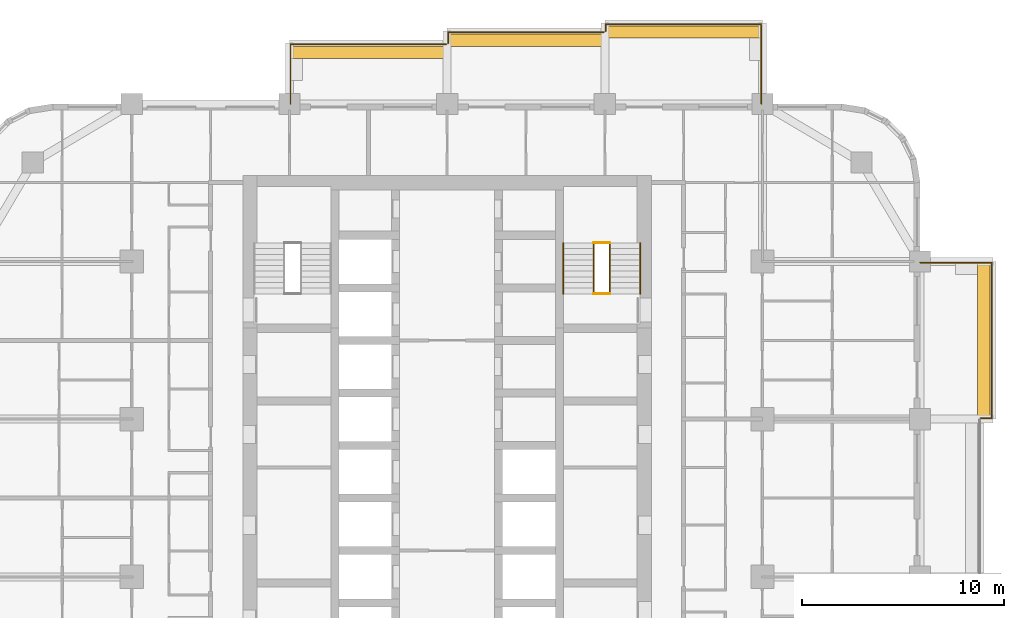
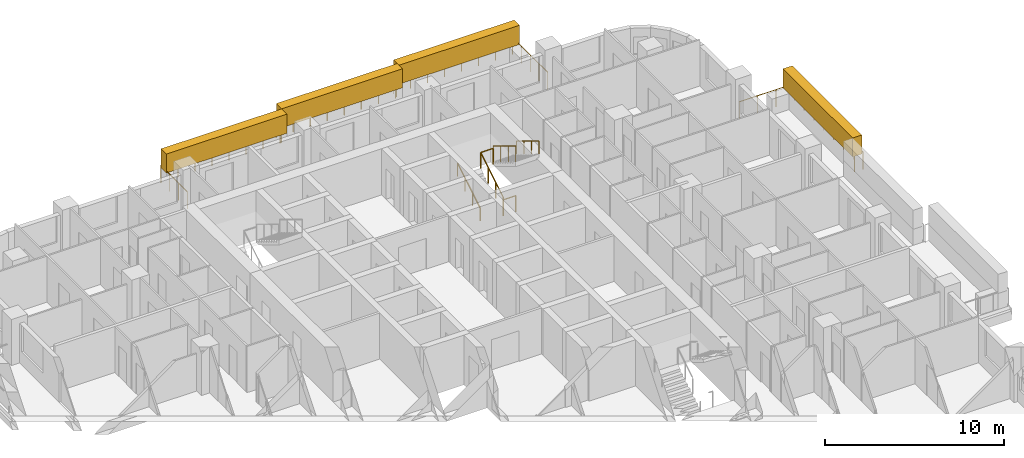
# One storey, part 17 of 17: 10 railings, 4 coverings, 1 element without a shape of its own.
"""IFC4 building model written with IfcOpenShell, lengths in metres."""

from ifc_helpers import new_model, si_unit, direction, frame, origin, origin_2d, place, context, subcontext, project, spatial, rectangle, circle, extrude, material, layer, layer_set, type_object, element, aggregate, save


model = new_model("IFC4")

# Units and contexts
model_context = context("Model", 3, precision=1e-05, world=origin(), true_north=direction((0.0, 1.0)))
body_context = subcontext(model_context, "Body", "Model", "MODEL_VIEW")
ifc_project = project(units=[si_unit("LENGTHUNIT", "METRE"), si_unit("AREAUNIT", "SQUARE_METRE"), si_unit("VOLUMEUNIT", "CUBIC_METRE"), si_unit("PLANEANGLEUNIT", "RADIAN"), si_unit("MASSUNIT", "GRAM", prefix="KILO")], contexts=[model_context])

# Site, building, storey
site_placement = place(None, origin())
site = spatial("IfcSite", under=ifc_project, at=site_placement, CompositionType="ELEMENT")
building_placement = place(site_placement, origin())
building = spatial("IfcBuilding", under=site, at=building_placement, Name="Ludao Terraces", CompositionType="ELEMENT")
storey_placement = place(building_placement, frame((0.0, 0.0, 39.89990234375)))
storey = spatial("IfcBuildingStorey", under=building, at=storey_placement, Name="L10", CompositionType="ELEMENT", Elevation=39.89990234375)

# Railings
ifc_material_1 = material(Name="Stainless steel 304", Category="steel")
railing_type_1 = type_object("IfcRailingType", Name="ENV Balcony glass guard 1200", PredefinedType="GUARDRAIL", material=ifc_material_1)
railing_1_placement = place(storey_placement, frame((111.39990234375, 72.85009765625, 0.0)))
element("IfcRailing", 1, at=railing_1_placement, inside=storey, type_object=railing_type_1, Name="Balcony guard L10 E4", PredefinedType="GUARDRAIL", context=body_context, shape_type="SweptSolid", body=[
    extrude(circle(Radius=0.02392578125, at=origin_2d()), frame((0.0, 0.0, 1.17578125), z_axis=(1.0, 0.0, 0.0), x_axis=(0.0, 1.0, 0.0)), (0.0, 0.0, 1.0), 0.550048828125),
    extrude(circle(Radius=0.02392578125, at=origin_2d()), frame((0.550048828125, 0.0, 1.17578125), z_axis=(0.0, 1.0, 0.0), x_axis=(-1.0, 0.0, 0.0)), (0.0, 0.0, 1.0), 7.699951171875),
    extrude(circle(Radius=0.02392578125, at=origin_2d()), frame((0.550048828125, 7.699951171875, 1.17578125), z_axis=(-1.0, 0.0, 0.0), x_axis=(0.0, -1.0, 0.0)), (0.0, 0.0, 1.0), 3.550048828125),
    extrude(circle(Radius=0.02099609375, at=origin_2d()), origin(), (0.0, 0.0, 1.0), 1.15185546875),
    extrude(circle(Radius=0.02099609375, at=origin_2d()), frame((0.550048828125, 0.0, 0.0)), (0.0, 0.0, 1.0), 1.15185546875),
    extrude(circle(Radius=0.02099609375, at=origin_2d()), frame((0.550048828125, 1.10009765625, 0.0)), (0.0, 0.0, 1.0), 1.15185546875),
    extrude(circle(Radius=0.02099609375, at=origin_2d()), frame((0.550048828125, 2.199951171875, 0.0)), (0.0, 0.0, 1.0), 1.15185546875),
    extrude(circle(Radius=0.02099609375, at=origin_2d()), frame((0.550048828125, 3.300048828125, 0.0)), (0.0, 0.0, 1.0), 1.15185546875),
    extrude(circle(Radius=0.02099609375, at=origin_2d()), frame((0.550048828125, 4.39990234375, 0.0)), (0.0, 0.0, 1.0), 1.15185546875),
    extrude(circle(Radius=0.02099609375, at=origin_2d()), frame((0.550048828125, 5.5, 0.0)), (0.0, 0.0, 1.0), 1.15185546875),
    extrude(circle(Radius=0.02099609375, at=origin_2d()), frame((0.550048828125, 6.599853515625, 0.0)), (0.0, 0.0, 1.0), 1.15185546875),
    extrude(circle(Radius=0.02099609375, at=origin_2d()), frame((0.550048828125, 7.699951171875, 0.0)), (0.0, 0.0, 1.0), 1.15185546875),
    extrude(circle(Radius=0.02099609375, at=origin_2d()), frame((-0.63330078125, 7.699951171875, 0.0)), (0.0, 0.0, 1.0), 1.15185546875),
    extrude(circle(Radius=0.02099609375, at=origin_2d()), frame((-1.816650390625, 7.699951171875, 0.0)), (0.0, 0.0, 1.0), 1.15185546875),
    extrude(circle(Radius=0.02099609375, at=origin_2d()), frame((-3.0, 7.699951171875, 0.0)), (0.0, 0.0, 1.0), 1.15185546875),
])
railing_2_placement = place(storey_placement, frame((77.25, 88.39990234375, 0.0)))
element("IfcRailing", 2, at=railing_2_placement, inside=storey, type_object=railing_type_1, Name="Balcony guard L10 N2", PredefinedType="GUARDRAIL", context=body_context, shape_type="SweptSolid", body=[
    extrude(circle(Radius=0.02392578125, at=origin_2d()), frame((0.0, 0.0, 1.17578125), z_axis=(0.0, 1.0, 0.0), x_axis=(-1.0, 0.0, 0.0)), (0.0, 0.0, 1.0), 2.9501953125),
    extrude(circle(Radius=0.02392578125, at=origin_2d()), frame((0.0, 2.9501953125, 1.17578125), z_axis=(1.0, 0.0, 0.0), x_axis=(0.0, 1.0, 0.0)), (0.0, 0.0, 1.0), 7.699951171875),
    extrude(circle(Radius=0.02099609375, at=origin_2d()), origin(), (0.0, 0.0, 1.0), 1.15185546875),
    extrude(circle(Radius=0.02099609375, at=origin_2d()), frame((0.0, 0.9833984375, 0.0)), (0.0, 0.0, 1.0), 1.15185546875),
    extrude(circle(Radius=0.02099609375, at=origin_2d()), frame((0.0, 1.966796875, 0.0)), (0.0, 0.0, 1.0), 1.15185546875),
    extrude(circle(Radius=0.02099609375, at=origin_2d()), frame((0.0, 2.9501953125, 0.0)), (0.0, 0.0, 1.0), 1.15185546875),
    extrude(circle(Radius=0.02099609375, at=origin_2d()), frame((1.10009765625, 2.9501953125, 0.0)), (0.0, 0.0, 1.0), 1.15185546875),
    extrude(circle(Radius=0.02099609375, at=origin_2d()), frame((2.199951171875, 2.9501953125, 0.0)), (0.0, 0.0, 1.0), 1.15185546875),
    extrude(circle(Radius=0.02099609375, at=origin_2d()), frame((3.300048828125, 2.9501953125, 0.0)), (0.0, 0.0, 1.0), 1.15185546875),
    extrude(circle(Radius=0.02099609375, at=origin_2d()), frame((4.39990234375, 2.9501953125, 0.0)), (0.0, 0.0, 1.0), 1.15185546875),
    extrude(circle(Radius=0.02099609375, at=origin_2d()), frame((5.5, 2.9501953125, 0.0)), (0.0, 0.0, 1.0), 1.15185546875),
    extrude(circle(Radius=0.02099609375, at=origin_2d()), frame((6.599853515625, 2.9501953125, 0.0)), (0.0, 0.0, 1.0), 1.15185546875),
    extrude(circle(Radius=0.02099609375, at=origin_2d()), frame((7.699951171875, 2.9501953125, 0.0)), (0.0, 0.0, 1.0), 1.15185546875),
])
railing_3_placement = place(storey_placement, frame((85.050048828125, 91.39990234375, 0.0)))
element("IfcRailing", 3, at=railing_3_placement, inside=storey, type_object=railing_type_1, Name="Balcony guard L10 N3", PredefinedType="GUARDRAIL", context=body_context, shape_type="SweptSolid", body=[
    extrude(circle(Radius=0.02392578125, at=origin_2d()), frame((0.0, 0.0, 1.17578125), z_axis=(0.0, 1.0, 0.0), x_axis=(-1.0, 0.0, 0.0)), (0.0, 0.0, 1.0), 0.550048828125),
    extrude(circle(Radius=0.02392578125, at=origin_2d()), frame((0.0, 0.550048828125, 1.17578125), z_axis=(1.0, 0.0, 0.0), x_axis=(0.0, 1.0, 0.0)), (0.0, 0.0, 1.0), 7.699951171875),
    extrude(circle(Radius=0.02099609375, at=origin_2d()), origin(), (0.0, 0.0, 1.0), 1.15185546875),
    extrude(circle(Radius=0.02099609375, at=origin_2d()), frame((0.0, 0.550048828125, 0.0)), (0.0, 0.0, 1.0), 1.15185546875),
    extrude(circle(Radius=0.02099609375, at=origin_2d()), frame((1.10009765625, 0.550048828125, 0.0)), (0.0, 0.0, 1.0), 1.15185546875),
    extrude(circle(Radius=0.02099609375, at=origin_2d()), frame((2.199951171875, 0.550048828125, 0.0)), (0.0, 0.0, 1.0), 1.15185546875),
    extrude(circle(Radius=0.02099609375, at=origin_2d()), frame((3.300048828125, 0.550048828125, 0.0)), (0.0, 0.0, 1.0), 1.15185546875),
    extrude(circle(Radius=0.02099609375, at=origin_2d()), frame((4.39990234375, 0.550048828125, 0.0)), (0.0, 0.0, 1.0), 1.15185546875),
    extrude(circle(Radius=0.02099609375, at=origin_2d()), frame((5.5, 0.550048828125, 0.0)), (0.0, 0.0, 1.0), 1.15185546875),
    extrude(circle(Radius=0.02099609375, at=origin_2d()), frame((6.599853515625, 0.550048828125, 0.0)), (0.0, 0.0, 1.0), 1.15185546875),
    extrude(circle(Radius=0.02099609375, at=origin_2d()), frame((7.699951171875, 0.550048828125, 0.0)), (0.0, 0.0, 1.0), 1.15185546875),
])
railing_4_placement = place(storey_placement, frame((92.85009765625, 92.0, 0.0)))
element("IfcRailing", 4, at=railing_4_placement, inside=storey, type_object=railing_type_1, Name="Balcony guard L10 N4", PredefinedType="GUARDRAIL", context=body_context, shape_type="SweptSolid", body=[
    extrude(circle(Radius=0.02392578125, at=origin_2d()), frame((0.0, 0.0, 1.17578125), z_axis=(0.0, 1.0, 0.0), x_axis=(-1.0, 0.0, 0.0)), (0.0, 0.0, 1.0), 0.35009765625),
    extrude(circle(Radius=0.02392578125, at=origin_2d()), frame((0.0, 0.35009765625, 1.17578125), z_axis=(1.0, 0.0, 0.0), x_axis=(0.0, 1.0, 0.0)), (0.0, 0.0, 1.0), 7.699951171875),
    extrude(circle(Radius=0.02392578125, at=origin_2d()), frame((7.699951171875, 0.35009765625, 1.17578125), z_axis=(0.0, -1.0, 0.0), x_axis=(1.0, 0.0, 0.0)), (0.0, 0.0, 1.0), 3.9501953125),
    extrude(circle(Radius=0.02099609375, at=origin_2d()), origin(), (0.0, 0.0, 1.0), 1.15185546875),
    extrude(circle(Radius=0.02099609375, at=origin_2d()), frame((0.0, 0.35009765625, 0.0)), (0.0, 0.0, 1.0), 1.15185546875),
    extrude(circle(Radius=0.02099609375, at=origin_2d()), frame((1.10009765625, 0.35009765625, 0.0)), (0.0, 0.0, 1.0), 1.15185546875),
    extrude(circle(Radius=0.02099609375, at=origin_2d()), frame((2.199951171875, 0.35009765625, 0.0)), (0.0, 0.0, 1.0), 1.15185546875),
    extrude(circle(Radius=0.02099609375, at=origin_2d()), frame((3.300048828125, 0.35009765625, 0.0)), (0.0, 0.0, 1.0), 1.15185546875),
    extrude(circle(Radius=0.02099609375, at=origin_2d()), frame((4.39990234375, 0.35009765625, 0.0)), (0.0, 0.0, 1.0), 1.15185546875),
    extrude(circle(Radius=0.02099609375, at=origin_2d()), frame((5.5, 0.35009765625, 0.0)), (0.0, 0.0, 1.0), 1.15185546875),
    extrude(circle(Radius=0.02099609375, at=origin_2d()), frame((6.599853515625, 0.35009765625, 0.0)), (0.0, 0.0, 1.0), 1.15185546875),
    extrude(circle(Radius=0.02099609375, at=origin_2d()), frame((7.699951171875, 0.35009765625, 0.0)), (0.0, 0.0, 1.0), 1.15185546875),
    extrude(circle(Radius=0.02099609375, at=origin_2d()), frame((7.699951171875, -0.637451171875, 0.0)), (0.0, 0.0, 1.0), 1.15185546875),
    extrude(circle(Radius=0.02099609375, at=origin_2d()), frame((7.699951171875, -1.625, 0.0)), (0.0, 0.0, 1.0), 1.15185546875),
    extrude(circle(Radius=0.02099609375, at=origin_2d()), frame((7.699951171875, -2.612548828125, 0.0)), (0.0, 0.0, 1.0), 1.15185546875),
    extrude(circle(Radius=0.02099609375, at=origin_2d()), frame((7.699951171875, -3.60009765625, 0.0)), (0.0, 0.0, 1.0), 1.15185546875),
])

# Coverings
ifc_material_2 = material(Name="Planting")
ifc_layer = layer(ifc_material_2, 0.60009765625)
ifc_layer_set = layer_set([ifc_layer], Name="ENV Planting hedge 600x1300")
covering_type = type_object("IfcCoveringType", Name="ENV Planting hedge 600x1300", PredefinedType="USERDEFINED", material=ifc_layer_set)
covering_placement = place(storey_placement, frame((111.550048828125, 76.699951171875, 1.10009765625), z_axis=(0.0, 0.0, 1.0), x_axis=(1.0, 0.0, 0.0)))
element("IfcCovering", 5, at=covering_placement, inside=storey, type_object=covering_type, Name="Planting hedge L10-E4", ObjectType="PLANTING", PredefinedType="USERDEFINED", context=body_context, shape_type="SweptSolid", body=[
    extrude(rectangle(XDim=0.60009765625, YDim=7.800048828125, at=origin_2d()), origin(), (0.0, 0.0, 1.0), 1.300048828125),
])
for number, where, z_axis, x_axis, name in (
    (6, (81.10009765625, 90.949951171875, 1.10009765625), (0.0, 0.0, 1.0), (1.0, 0.0, 0.0), "Planting hedge L10-N2"),
    (7, (88.89990234375, 91.550048828125, 1.10009765625), (0.0, 0.0, 1.0), (1.0, 0.0, 0.0), "Planting hedge L10-N3"),
    (8, (96.699951171875, 91.949951171875, 1.10009765625), (0.0, 0.0, 1.0), (1.0, 0.0, 0.0), "Planting hedge L10-N4"),
):
    element("IfcCovering", number, at=place(storey_placement, frame(where, z_axis=z_axis, x_axis=x_axis)), inside=storey, type_object=covering_type, Name=name, ObjectType="PLANTING", PredefinedType="USERDEFINED", context=body_context, shape_type="SweptSolid", body=[
        extrude(rectangle(XDim=7.800048828125, YDim=0.60009765625, at=origin_2d()), origin(), (0.0, 0.0, 1.0), 1.300048828125),
    ])

# Stair, railings
ifc_material_3 = material(Name="Concrete C40", Category="concrete")
stair_type = type_object("IfcStairType", Name="INT Stair", PredefinedType="HALF_TURN_STAIR", material=ifc_material_3)
stair_placement = place(storey_placement, origin())
stair = element("IfcStair", 9, at=stair_placement, inside=storey, type_object=stair_type, Name="EXIT STAIR 2", PredefinedType="HALF_TURN_STAIR")
railing_type_2 = type_object("IfcRailingType", Name="INT Stair guard 1100", PredefinedType="GUARDRAIL", material=ifc_material_1)
railing_5_placement = place(storey_placement, frame((92.25, 79.0, 0.170166015625)))
railing_5 = element("IfcRailing", 10, at=railing_5_placement, type_object=railing_type_2, Name="ST-L10-S2-R1G", PredefinedType="GUARDRAIL", context=body_context, shape_type="SweptSolid", body=[
    extrude(circle(Radius=0.02392578125, at=origin_2d()), frame((0.0, 0.0, 1.076171875), z_axis=(0.0, 0.85478489116, 0.518982456201), x_axis=(-1.0, 0.0, 0.0)), (0.0, 0.0, 1.0), 2.9482421875),
    extrude(circle(Radius=0.02099609375, at=origin_2d()), origin(), (0.0, 0.0, 1.0), 1.052001953125),
    extrude(circle(Radius=0.02099609375, at=origin_2d()), frame((0.0, 0.840087890625, 0.510009765625)), (0.0, 0.0, 1.0), 1.052001953125),
    extrude(circle(Radius=0.02099609375, at=origin_2d()), frame((0.0, 1.679931640625, 1.02001953125)), (0.0, 0.0, 1.0), 1.052001953125),
    extrude(circle(Radius=0.02099609375, at=origin_2d()), frame((0.0, 2.52001953125, 1.530029296875)), (0.0, 0.0, 1.0), 1.052001953125),
])
railing_6_placement = place(storey_placement, frame((93.050048828125, 81.52001953125, 1.8701171875)))
railing_6 = element("IfcRailing", 11, at=railing_6_placement, type_object=railing_type_2, Name="ST-L10-S2-R2G", PredefinedType="GUARDRAIL", context=body_context, shape_type="SweptSolid", body=[
    extrude(circle(Radius=0.02392578125, at=origin_2d()), frame((0.0, 0.0, 1.076171875), z_axis=(0.0, -0.85478489116, 0.518982456201), x_axis=(1.0, 0.0, 0.0)), (0.0, 0.0, 1.0), 2.9482421875),
    extrude(circle(Radius=0.02099609375, at=origin_2d()), origin(), (0.0, 0.0, 1.0), 1.052001953125),
    extrude(circle(Radius=0.02099609375, at=origin_2d()), frame((0.0, -0.840087890625, 0.510009765625)), (0.0, 0.0, 1.0), 1.052001953125),
    extrude(circle(Radius=0.02099609375, at=origin_2d()), frame((0.0, -1.679931640625, 1.02001953125)), (0.0, 0.0, 1.0), 1.052001953125),
    extrude(circle(Radius=0.02099609375, at=origin_2d()), frame((0.0, -2.52001953125, 1.530029296875)), (0.0, 0.0, 1.0), 1.052001953125),
])
railing_7_placement = place(storey_placement, frame((92.25, 81.52001953125, 1.7001953125)))
railing_7 = element("IfcRailing", 12, at=railing_7_placement, type_object=railing_type_2, Name="ST-L10-S2-E1G", PredefinedType="GUARDRAIL", context=body_context, shape_type="SweptSolid", body=[
    extrude(circle(Radius=0.02392578125, at=origin_2d()), frame((0.0, 0.0, 1.076171875), z_axis=(1.0, 0.0, 0.0), x_axis=(0.0, 1.0, 0.0)), (0.0, 0.0, 1.0), 0.800048828125),
    extrude(circle(Radius=0.02099609375, at=origin_2d()), origin(), (0.0, 0.0, 1.0), 1.052001953125),
    extrude(circle(Radius=0.02099609375, at=origin_2d()), frame((0.800048828125, 0.0, 0.0)), (0.0, 0.0, 1.0), 1.052001953125),
])
railing_8_placement = place(storey_placement, frame((92.25, 79.0, 0.0)))
railing_8 = element("IfcRailing", 13, at=railing_8_placement, type_object=railing_type_2, Name="ST-L10-S2-E2G", PredefinedType="GUARDRAIL", context=body_context, shape_type="SweptSolid", body=[
    extrude(circle(Radius=0.02392578125, at=origin_2d()), frame((0.0, 0.0, 1.076171875), z_axis=(1.0, 0.0, 0.0), x_axis=(0.0, 1.0, 0.0)), (0.0, 0.0, 1.0), 0.800048828125),
    extrude(circle(Radius=0.02099609375, at=origin_2d()), origin(), (0.0, 0.0, 1.0), 1.052001953125),
    extrude(circle(Radius=0.02099609375, at=origin_2d()), frame((0.800048828125, 0.0, 0.0)), (0.0, 0.0, 1.0), 1.052001953125),
])
railing_type_3 = type_object("IfcRailingType", Name="INT Stair handrail 900", PredefinedType="HANDRAIL", material=ifc_material_1)
railing_9_placement = place(storey_placement, frame((90.75, 79.0, 0.170166015625)))
railing_9 = element("IfcRailing", 14, at=railing_9_placement, type_object=railing_type_3, Name="ST-L10-S2-R1H", PredefinedType="HANDRAIL", context=body_context, shape_type="SweptSolid", body=[
    extrude(circle(Radius=0.02392578125, at=origin_2d()), frame((0.0, 0.0, 0.8759765625), z_axis=(0.0, 0.85478489116, 0.518982456201), x_axis=(-1.0, 0.0, 0.0)), (0.0, 0.0, 1.0), 2.9482421875),
    extrude(circle(Radius=0.02099609375, at=origin_2d()), origin(), (0.0, 0.0, 1.0), 0.851806640625),
    extrude(circle(Radius=0.02099609375, at=origin_2d()), frame((0.0, 0.840087890625, 0.510009765625)), (0.0, 0.0, 1.0), 0.851806640625),
    extrude(circle(Radius=0.02099609375, at=origin_2d()), frame((0.0, 1.679931640625, 1.02001953125)), (0.0, 0.0, 1.0), 0.851806640625),
    extrude(circle(Radius=0.02099609375, at=origin_2d()), frame((0.0, 2.52001953125, 1.530029296875)), (0.0, 0.0, 1.0), 0.851806640625),
])
railing_10_placement = place(storey_placement, frame((94.550048828125, 81.52001953125, 1.8701171875)))
railing_10 = element("IfcRailing", 15, at=railing_10_placement, type_object=railing_type_3, Name="ST-L10-S2-R2H", PredefinedType="HANDRAIL", context=body_context, shape_type="SweptSolid", body=[
    extrude(circle(Radius=0.02392578125, at=origin_2d()), frame((0.0, 0.0, 0.8759765625), z_axis=(0.0, -0.85478489116, 0.518982456201), x_axis=(1.0, 0.0, 0.0)), (0.0, 0.0, 1.0), 2.9482421875),
    extrude(circle(Radius=0.02099609375, at=origin_2d()), origin(), (0.0, 0.0, 1.0), 0.851806640625),
    extrude(circle(Radius=0.02099609375, at=origin_2d()), frame((0.0, -0.840087890625, 0.510009765625)), (0.0, 0.0, 1.0), 0.851806640625),
    extrude(circle(Radius=0.02099609375, at=origin_2d()), frame((0.0, -1.679931640625, 1.02001953125)), (0.0, 0.0, 1.0), 0.851806640625),
    extrude(circle(Radius=0.02099609375, at=origin_2d()), frame((0.0, -2.52001953125, 1.530029296875)), (0.0, 0.0, 1.0), 0.851806640625),
])
aggregate(stair, [railing_5, railing_9, railing_6, railing_10, railing_7, railing_8])

save(model, "model.ifc")
